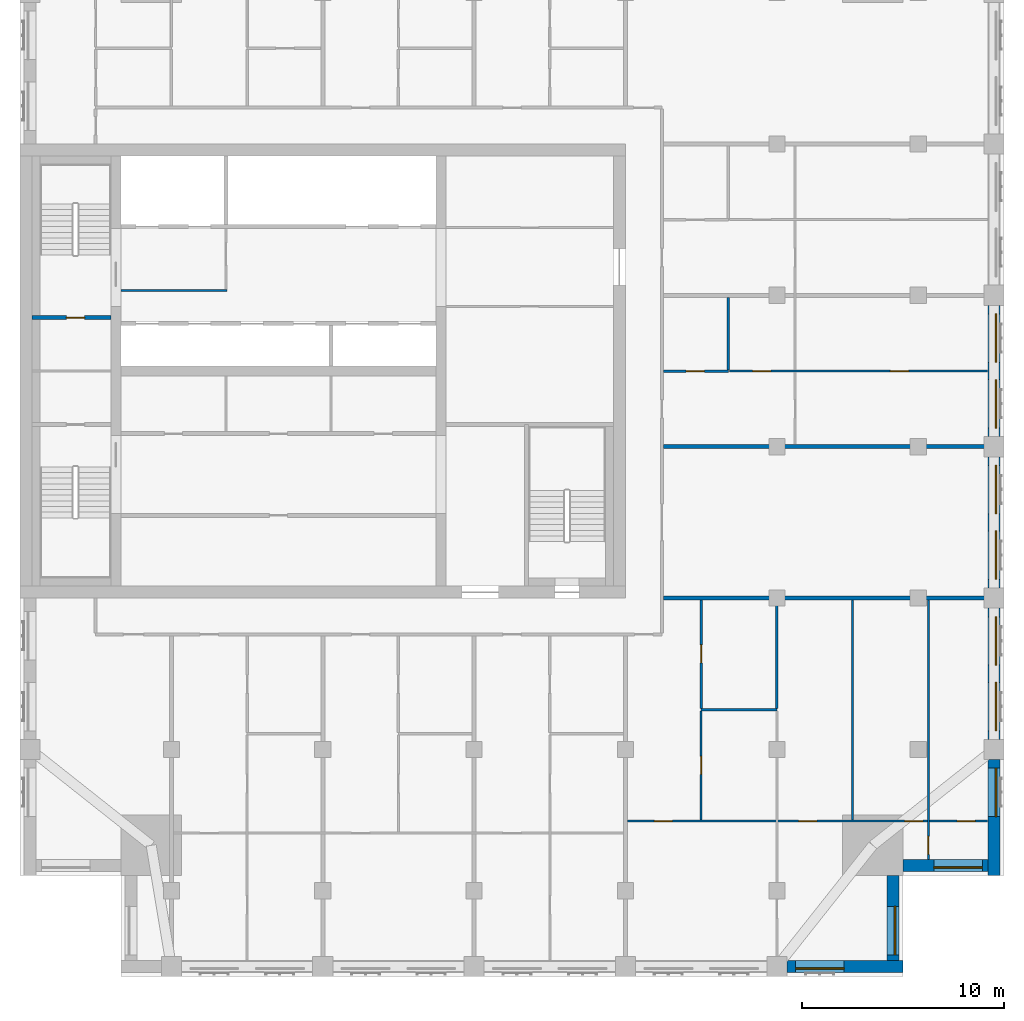
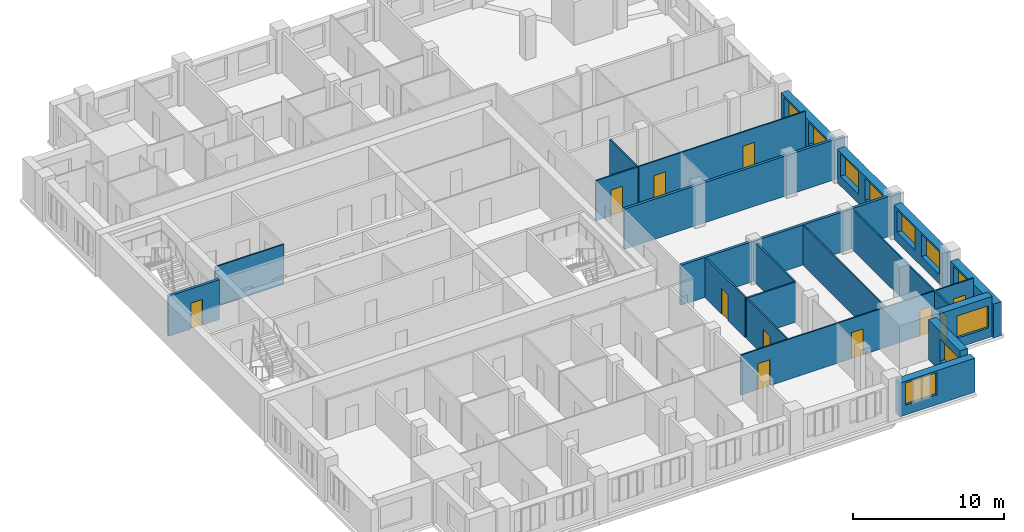
# One storey, part 5 of 11: 21 walls, 11 doors, 10 windows, 21 openings.
"""IFC4 building model written with IfcOpenShell, lengths in metres."""

from ifc_helpers import new_model, si_unit, direction, frame, frame_2d, origin, place, context, subcontext, project, spatial, rectangle, extrude, material, layer, layer_set, type_object, element, fill, save


model = new_model("IFC4")

# Units and contexts
model_context = context("Model", 3, precision=1e-05, world=origin(), true_north=direction((0.0, 1.0)))
body_context = subcontext(model_context, "Body", "Model", "MODEL_VIEW")
ifc_project = project(units=[si_unit("LENGTHUNIT", "METRE"), si_unit("AREAUNIT", "SQUARE_METRE"), si_unit("VOLUMEUNIT", "CUBIC_METRE"), si_unit("PLANEANGLEUNIT", "RADIAN"), si_unit("MASSUNIT", "GRAM", prefix="KILO")], contexts=[model_context])

# Site, building, storey
site_placement = place(None, origin())
site = spatial("IfcSite", under=ifc_project, at=site_placement, CompositionType="ELEMENT")
building_placement = place(site_placement, origin())
building = spatial("IfcBuilding", under=site, at=building_placement, Name="Tamorin Gate", CompositionType="ELEMENT")
storey_placement = place(building_placement, frame((0.0, 0.0, 226.699951171875)))
storey = spatial("IfcBuildingStorey", under=building, at=storey_placement, Name="L56", CompositionType="ELEMENT", Elevation=226.699951171875)

# Wall, opening, window
ifc_material_1 = material(Name="Precast concrete C40/50", Category="concrete")
ifc_layer_1 = layer(ifc_material_1, 0.60009765625)
ifc_layer_set_1 = layer_set([ifc_layer_1], Name="Precast concrete C40/50")
wall_type_1 = type_object("IfcWallType", Name="Board-marked concrete facade panel 600", PredefinedType="SOLIDWALL", material=ifc_layer_set_1)
wall_1_placement = place(storey_placement, frame((68.0, 41.75, 0.0), z_axis=(0.0, 0.0, 1.0), x_axis=(1.0, 0.0, 0.0)))
wall_1 = element("IfcWall", 1, at=wall_1_placement, inside=storey, type_object=wall_type_1, Name="Facade panel", PredefinedType="SOLIDWALL", context=body_context, shape_type="SweptSolid", body=[
    extrude(rectangle(XDim=5.75, YDim=0.60009765625, at=frame_2d((2.875, 0.0))), origin(), (0.0, 0.0, 1.0), 2.75),
])
opening_1_placement = place(wall_1_placement, frame((0.425048828125, 0.0, 0.800048828125)))
opening_1 = element("IfcOpeningElement", 2, at=opening_1_placement, cuts=wall_1, Name="Opening WN1", PredefinedType="OPENING", context=body_context, shape_type="SweptSolid", body=[
    extrude(rectangle(XDim=2.39990234375, YDim=1.800048828125, at=frame_2d((1.199951171875, 0.89990234375))), frame((0.0, 0.31005859375, 0.0), z_axis=(0.0, -1.0, 0.0), x_axis=(1.0, 0.0, 0.0)), (0.0, 0.0, 1.0), 0.6201171875),
])
ifc_material_2 = material(Name="Clear glass in aluminium frame", Category="aluminium")
window_type = type_object("IfcWindowType", Name="Deep-set window 2400x1800", PartitioningType="SINGLE_PANEL", PredefinedType="WINDOW", material=ifc_material_2)
window_1_placement = place(opening_1_placement, origin())
window_1 = element("IfcWindow", 3, at=window_1_placement, inside=storey, type_object=window_type, Name="Deep-set window", OverallHeight=1.800048828125, OverallWidth=2.39990234375, PartitioningType="SINGLE_PANEL", PredefinedType="WINDOW", context=body_context, shape_type="SweptSolid", body=[
    extrude(rectangle(XDim=2.39990234375, YDim=1.800048828125, at=frame_2d((1.199951171875, 0.89990234375))), frame((0.0, -0.070068359375, 0.0), z_axis=(0.0, -1.0, 0.0), x_axis=(1.0, 0.0, 0.0)), (0.0, 0.0, 1.0), 0.06005859375),
])
fill(opening_1, window_1)

wall_2_placement = place(storey_placement, frame((73.25, 42.050048828125, 0.0), z_axis=(0.0, 0.0, 1.0), x_axis=(0.0, 1.0, 0.0)))
wall_2 = element("IfcWall", 4, at=wall_2_placement, inside=storey, type_object=wall_type_1, Name="Facade panel", PredefinedType="SOLIDWALL", context=body_context, shape_type="SweptSolid", body=[
    extrude(rectangle(XDim=4.199951171875, YDim=0.60009765625, at=frame_2d((2.10009765625, 0.0))), origin(), (0.0, 0.0, 1.0), 3.25),
])
opening_2_placement = place(wall_2_placement, frame((0.27490234375, 0.0, 0.800048828125)))
opening_2 = element("IfcOpeningElement", 5, at=opening_2_placement, cuts=wall_2, Name="Opening WN1", PredefinedType="OPENING", context=body_context, shape_type="SweptSolid", body=[
    extrude(rectangle(XDim=2.39990234375, YDim=1.800048828125, at=frame_2d((1.199951171875, 0.89990234375))), frame((0.0, 0.31005859375, 0.0), z_axis=(0.0, -1.0, 0.0), x_axis=(1.0, 0.0, 0.0)), (0.0, 0.0, 1.0), 0.6201171875),
])
window_2_placement = place(opening_2_placement, origin())
window_2 = element("IfcWindow", 6, at=window_2_placement, inside=storey, type_object=window_type, Name="Deep-set window", OverallHeight=1.800048828125, OverallWidth=2.39990234375, PartitioningType="SINGLE_PANEL", PredefinedType="WINDOW", context=body_context, shape_type="SweptSolid", body=[
    extrude(rectangle(XDim=2.39990234375, YDim=1.800048828125, at=frame_2d((1.199951171875, 0.89990234375))), frame((0.0, -0.070068359375, 0.0), z_axis=(0.0, -1.0, 0.0), x_axis=(1.0, 0.0, 0.0)), (0.0, 0.0, 1.0), 0.06005859375),
])
fill(opening_2, window_2)

wall_3_placement = place(storey_placement, frame((73.75, 46.75, 0.0), z_axis=(0.0, 0.0, 1.0), x_axis=(1.0, 0.0, 0.0)))
wall_3 = element("IfcWall", 7, at=wall_3_placement, inside=storey, type_object=wall_type_1, Name="Facade panel", PredefinedType="SOLIDWALL", context=body_context, shape_type="SweptSolid", body=[
    extrude(rectangle(XDim=4.199951171875, YDim=0.60009765625, at=frame_2d((2.10009765625, 0.0))), origin(), (0.0, 0.0, 1.0), 3.25),
])
opening_3_placement = place(wall_3_placement, frame((1.52490234375, 0.0, 0.800048828125)))
opening_3 = element("IfcOpeningElement", 8, at=opening_3_placement, cuts=wall_3, Name="Opening WN1", PredefinedType="OPENING", context=body_context, shape_type="SweptSolid", body=[
    extrude(rectangle(XDim=2.39990234375, YDim=1.800048828125, at=frame_2d((1.199951171875, 0.89990234375))), frame((0.0, 0.31005859375, 0.0), z_axis=(0.0, -1.0, 0.0), x_axis=(1.0, 0.0, 0.0)), (0.0, 0.0, 1.0), 0.6201171875),
])
window_3_placement = place(opening_3_placement, origin())
window_3 = element("IfcWindow", 9, at=window_3_placement, inside=storey, type_object=window_type, Name="Deep-set window", OverallHeight=1.800048828125, OverallWidth=2.39990234375, PartitioningType="SINGLE_PANEL", PredefinedType="WINDOW", context=body_context, shape_type="SweptSolid", body=[
    extrude(rectangle(XDim=2.39990234375, YDim=1.800048828125, at=frame_2d((1.199951171875, 0.89990234375))), frame((0.0, -0.070068359375, 0.0), z_axis=(0.0, -1.0, 0.0), x_axis=(1.0, 0.0, 0.0)), (0.0, 0.0, 1.0), 0.06005859375),
])
fill(opening_3, window_3)

wall_4_placement = place(storey_placement, frame((78.25, 46.25, 0.0), z_axis=(0.0, 0.0, 1.0), x_axis=(0.0, 1.0, 0.0)))
wall_4 = element("IfcWall", 10, at=wall_4_placement, inside=storey, type_object=wall_type_1, Name="Facade panel", PredefinedType="SOLIDWALL", context=body_context, shape_type="SweptSolid", body=[
    extrude(rectangle(XDim=5.75, YDim=0.60009765625, at=frame_2d((2.875, 0.0))), origin(), (0.0, 0.0, 1.0), 2.75),
])
opening_4_placement = place(wall_4_placement, frame((2.925048828125, 0.0, 0.800048828125)))
opening_4 = element("IfcOpeningElement", 11, at=opening_4_placement, cuts=wall_4, Name="Opening WN1", PredefinedType="OPENING", context=body_context, shape_type="SweptSolid", body=[
    extrude(rectangle(XDim=2.39990234375, YDim=1.800048828125, at=frame_2d((1.199951171875, 0.89990234375))), frame((0.0, 0.31005859375, 0.0), z_axis=(0.0, -1.0, 0.0), x_axis=(1.0, 0.0, 0.0)), (0.0, 0.0, 1.0), 0.6201171875),
])
window_4_placement = place(opening_4_placement, origin())
window_4 = element("IfcWindow", 12, at=window_4_placement, inside=storey, type_object=window_type, Name="Deep-set window", OverallHeight=1.800048828125, OverallWidth=2.39990234375, PartitioningType="SINGLE_PANEL", PredefinedType="WINDOW", context=body_context, shape_type="SweptSolid", body=[
    extrude(rectangle(XDim=2.39990234375, YDim=1.800048828125, at=frame_2d((1.199951171875, 0.89990234375))), frame((0.0, -0.070068359375, 0.0), z_axis=(0.0, -1.0, 0.0), x_axis=(1.0, 0.0, 0.0)), (0.0, 0.0, 1.0), 0.06005859375),
])
fill(opening_4, window_4)

# Wall, openings, windows
wall_5_placement = place(storey_placement, frame((78.25, 53.0, 0.0), z_axis=(0.0, 0.0, 1.0), x_axis=(0.0, 1.0, 0.0)))
wall_5 = element("IfcWall", 13, at=wall_5_placement, inside=storey, type_object=wall_type_1, Name="Facade panel", PredefinedType="SOLIDWALL", context=body_context, shape_type="SweptSolid", body=[
    extrude(rectangle(XDim=6.5, YDim=0.60009765625, at=frame_2d((3.25, 0.0))), origin(), (0.0, 0.0, 1.0), 2.75),
])
opening_5_placement = place(wall_5_placement, frame((0.425048828125, 0.0, 0.800048828125)))
opening_5 = element("IfcOpeningElement", 14, at=opening_5_placement, cuts=wall_5, Name="Opening WN1", PredefinedType="OPENING", context=body_context, shape_type="SweptSolid", body=[
    extrude(rectangle(XDim=2.39990234375, YDim=1.800048828125, at=frame_2d((1.199951171875, 0.89990234375))), frame((0.0, 0.31005859375, 0.0), z_axis=(0.0, -1.0, 0.0), x_axis=(1.0, 0.0, 0.0)), (0.0, 0.0, 1.0), 0.6201171875),
])
opening_6_placement = place(wall_5_placement, frame((3.675048828125, 0.0, 0.800048828125)))
opening_6 = element("IfcOpeningElement", 15, at=opening_6_placement, cuts=wall_5, Name="Opening WN1", PredefinedType="OPENING", context=body_context, shape_type="SweptSolid", body=[
    extrude(rectangle(XDim=2.39990234375, YDim=1.800048828125, at=frame_2d((1.199951171875, 0.89990234375))), frame((0.0, 0.31005859375, 0.0), z_axis=(0.0, -1.0, 0.0), x_axis=(1.0, 0.0, 0.0)), (0.0, 0.0, 1.0), 0.6201171875),
])
window_5_placement = place(opening_5_placement, origin())
window_5 = element("IfcWindow", 16, at=window_5_placement, inside=storey, type_object=window_type, Name="Deep-set window", OverallHeight=1.800048828125, OverallWidth=2.39990234375, PartitioningType="SINGLE_PANEL", PredefinedType="WINDOW", context=body_context, shape_type="SweptSolid", body=[
    extrude(rectangle(XDim=2.39990234375, YDim=1.800048828125, at=frame_2d((1.199951171875, 0.89990234375))), frame((0.0, -0.070068359375, 0.0), z_axis=(0.0, -1.0, 0.0), x_axis=(1.0, 0.0, 0.0)), (0.0, 0.0, 1.0), 0.06005859375),
])
fill(opening_5, window_5)
window_6_placement = place(opening_6_placement, origin())
window_6 = element("IfcWindow", 17, at=window_6_placement, inside=storey, type_object=window_type, Name="Deep-set window", OverallHeight=1.800048828125, OverallWidth=2.39990234375, PartitioningType="SINGLE_PANEL", PredefinedType="WINDOW", context=body_context, shape_type="SweptSolid", body=[
    extrude(rectangle(XDim=2.39990234375, YDim=1.800048828125, at=frame_2d((1.199951171875, 0.89990234375))), frame((0.0, -0.070068359375, 0.0), z_axis=(0.0, -1.0, 0.0), x_axis=(1.0, 0.0, 0.0)), (0.0, 0.0, 1.0), 0.06005859375),
])
fill(opening_6, window_6)

wall_6_placement = place(storey_placement, frame((78.25, 60.5, 0.0), z_axis=(0.0, 0.0, 1.0), x_axis=(0.0, 1.0, 0.0)))
wall_6 = element("IfcWall", 18, at=wall_6_placement, inside=storey, type_object=wall_type_1, Name="Facade panel", PredefinedType="SOLIDWALL", context=body_context, shape_type="SweptSolid", body=[
    extrude(rectangle(XDim=6.5, YDim=0.60009765625, at=frame_2d((3.25, 0.0))), origin(), (0.0, 0.0, 1.0), 2.75),
])
opening_7_placement = place(wall_6_placement, frame((0.425048828125, 0.0, 0.800048828125)))
opening_7 = element("IfcOpeningElement", 19, at=opening_7_placement, cuts=wall_6, Name="Opening WN1", PredefinedType="OPENING", context=body_context, shape_type="SweptSolid", body=[
    extrude(rectangle(XDim=2.39990234375, YDim=1.800048828125, at=frame_2d((1.199951171875, 0.89990234375))), frame((0.0, 0.31005859375, 0.0), z_axis=(0.0, -1.0, 0.0), x_axis=(1.0, 0.0, 0.0)), (0.0, 0.0, 1.0), 0.6201171875),
])
opening_8_placement = place(wall_6_placement, frame((3.675048828125, 0.0, 0.800048828125)))
opening_8 = element("IfcOpeningElement", 20, at=opening_8_placement, cuts=wall_6, Name="Opening WN1", PredefinedType="OPENING", context=body_context, shape_type="SweptSolid", body=[
    extrude(rectangle(XDim=2.39990234375, YDim=1.800048828125, at=frame_2d((1.199951171875, 0.89990234375))), frame((0.0, 0.31005859375, 0.0), z_axis=(0.0, -1.0, 0.0), x_axis=(1.0, 0.0, 0.0)), (0.0, 0.0, 1.0), 0.6201171875),
])
window_7_placement = place(opening_7_placement, origin())
window_7 = element("IfcWindow", 21, at=window_7_placement, inside=storey, type_object=window_type, Name="Deep-set window", OverallHeight=1.800048828125, OverallWidth=2.39990234375, PartitioningType="SINGLE_PANEL", PredefinedType="WINDOW", context=body_context, shape_type="SweptSolid", body=[
    extrude(rectangle(XDim=2.39990234375, YDim=1.800048828125, at=frame_2d((1.199951171875, 0.89990234375))), frame((0.0, -0.070068359375, 0.0), z_axis=(0.0, -1.0, 0.0), x_axis=(1.0, 0.0, 0.0)), (0.0, 0.0, 1.0), 0.06005859375),
])
fill(opening_7, window_7)
window_8_placement = place(opening_8_placement, origin())
window_8 = element("IfcWindow", 22, at=window_8_placement, inside=storey, type_object=window_type, Name="Deep-set window", OverallHeight=1.800048828125, OverallWidth=2.39990234375, PartitioningType="SINGLE_PANEL", PredefinedType="WINDOW", context=body_context, shape_type="SweptSolid", body=[
    extrude(rectangle(XDim=2.39990234375, YDim=1.800048828125, at=frame_2d((1.199951171875, 0.89990234375))), frame((0.0, -0.070068359375, 0.0), z_axis=(0.0, -1.0, 0.0), x_axis=(1.0, 0.0, 0.0)), (0.0, 0.0, 1.0), 0.06005859375),
])
fill(opening_8, window_8)

wall_7_placement = place(storey_placement, frame((78.25, 68.0, 0.0), z_axis=(0.0, 0.0, 1.0), x_axis=(0.0, 1.0, 0.0)))
wall_7 = element("IfcWall", 23, at=wall_7_placement, inside=storey, type_object=wall_type_1, Name="Facade panel", PredefinedType="SOLIDWALL", context=body_context, shape_type="SweptSolid", body=[
    extrude(rectangle(XDim=6.5, YDim=0.60009765625, at=frame_2d((3.25, 0.0))), origin(), (0.0, 0.0, 1.0), 2.75),
])
opening_9_placement = place(wall_7_placement, frame((0.425048828125, 0.0, 0.800048828125)))
opening_9 = element("IfcOpeningElement", 24, at=opening_9_placement, cuts=wall_7, Name="Opening WN1", PredefinedType="OPENING", context=body_context, shape_type="SweptSolid", body=[
    extrude(rectangle(XDim=2.39990234375, YDim=1.800048828125, at=frame_2d((1.199951171875, 0.89990234375))), frame((0.0, 0.31005859375, 0.0), z_axis=(0.0, -1.0, 0.0), x_axis=(1.0, 0.0, 0.0)), (0.0, 0.0, 1.0), 0.6201171875),
])
opening_10_placement = place(wall_7_placement, frame((3.675048828125, 0.0, 0.800048828125)))
opening_10 = element("IfcOpeningElement", 25, at=opening_10_placement, cuts=wall_7, Name="Opening WN1", PredefinedType="OPENING", context=body_context, shape_type="SweptSolid", body=[
    extrude(rectangle(XDim=2.39990234375, YDim=1.800048828125, at=frame_2d((1.199951171875, 0.89990234375))), frame((0.0, 0.31005859375, 0.0), z_axis=(0.0, -1.0, 0.0), x_axis=(1.0, 0.0, 0.0)), (0.0, 0.0, 1.0), 0.6201171875),
])
window_9_placement = place(opening_9_placement, origin())
window_9 = element("IfcWindow", 26, at=window_9_placement, inside=storey, type_object=window_type, Name="Deep-set window", OverallHeight=1.800048828125, OverallWidth=2.39990234375, PartitioningType="SINGLE_PANEL", PredefinedType="WINDOW", context=body_context, shape_type="SweptSolid", body=[
    extrude(rectangle(XDim=2.39990234375, YDim=1.800048828125, at=frame_2d((1.199951171875, 0.89990234375))), frame((0.0, -0.070068359375, 0.0), z_axis=(0.0, -1.0, 0.0), x_axis=(1.0, 0.0, 0.0)), (0.0, 0.0, 1.0), 0.06005859375),
])
fill(opening_9, window_9)
window_10_placement = place(opening_10_placement, origin())
window_10 = element("IfcWindow", 27, at=window_10_placement, inside=storey, type_object=window_type, Name="Deep-set window", OverallHeight=1.800048828125, OverallWidth=2.39990234375, PartitioningType="SINGLE_PANEL", PredefinedType="WINDOW", context=body_context, shape_type="SweptSolid", body=[
    extrude(rectangle(XDim=2.39990234375, YDim=1.800048828125, at=frame_2d((1.199951171875, 0.89990234375))), frame((0.0, -0.070068359375, 0.0), z_axis=(0.0, -1.0, 0.0), x_axis=(1.0, 0.0, 0.0)), (0.0, 0.0, 1.0), 0.06005859375),
])
fill(opening_10, window_10)

# Walls
ifc_material_3 = material(Name="Gypsum board partition")
ifc_layer_2 = layer(ifc_material_3, 0.199951171875)
ifc_layer_set_2 = layer_set([ifc_layer_2], Name="Demising wall 200")
wall_type_2 = type_object("IfcWallType", Name="Demising wall 200", PredefinedType="PARTITIONING", material=ifc_layer_set_2)
for number, where, z_axis, x_axis, name in (
    (28, (61.875, 60.0, 0.0), (0.0, 0.0, 1.0), (1.0, 0.0, 0.0), "Demising wall 200"),
    (29, (61.875, 67.5, 0.0), (0.0, 0.0, 1.0), (1.0, 0.0, 0.0), "Demising wall 200"),
):
    element("IfcWall", number, at=place(storey_placement, frame(where, z_axis=z_axis, x_axis=x_axis)), inside=storey, type_object=wall_type_2, Name=name, PredefinedType="PARTITIONING", context=body_context, shape_type="SweptSolid", body=[
        extrude(rectangle(XDim=16.875, YDim=0.199951171875, at=frame_2d((8.4375, 0.0))), origin(), (0.0, 0.0, 1.0), 3.25),
    ])
ifc_material_4 = material(Name="Fire-rated gypsum board partition")
ifc_layer_3 = layer(ifc_material_4, 0.10009765625)
ifc_layer_set_3 = layer_set([ifc_layer_3], Name="Lobby wall 100 EI 60")
wall_type_3 = type_object("IfcWallType", Name="Lobby wall 100 EI 60", PredefinedType="PARTITIONING", material=ifc_layer_set_3)
wall_8_placement = place(storey_placement, frame((35.0, 75.25, 0.0), z_axis=(0.0, 0.0, 1.0), x_axis=(1.0, 0.0, 0.0)))
element("IfcWall", 30, at=wall_8_placement, inside=storey, type_object=wall_type_3, Name="Firefighting lobby wall", PredefinedType="PARTITIONING", context=body_context, shape_type="SweptSolid", body=[
    extrude(rectangle(XDim=5.25, YDim=0.10009765625, at=frame_2d((2.625, 0.0))), origin(), (0.0, 0.0, 1.0), 3.25),
])

# Wall, openings, doors
ifc_layer_4 = layer(ifc_material_3, 0.10009765625)
ifc_layer_set_4 = layer_set([ifc_layer_4], Name="Room partition 100")
wall_type_4 = type_object("IfcWallType", Name="Room partition 100", PredefinedType="PARTITIONING", material=ifc_layer_set_4)
wall_9_placement = place(storey_placement, frame((60.10009765625, 48.949951171875, 0.0), z_axis=(0.0, 0.0, 1.0), x_axis=(1.0, 0.0, 0.0)))
wall_9 = element("IfcWall", 31, at=wall_9_placement, inside=storey, type_object=wall_type_4, Name="Room partition 100", PredefinedType="PARTITIONING", context=body_context, shape_type="SweptSolid", body=[
    extrude(rectangle(XDim=17.83984375, YDim=0.10009765625, at=frame_2d((8.919921875, 0.0))), origin(), (0.0, 0.0, 1.0), 3.25),
])
opening_11_placement = place(wall_9_placement, frame((1.324951171875, 0.0, 0.0)))
opening_11 = element("IfcOpeningElement", 32, at=opening_11_placement, cuts=wall_9, Name="Opening DR6017", PredefinedType="OPENING", context=body_context, shape_type="SweptSolid", body=[
    extrude(rectangle(XDim=0.89990234375, YDim=2.10009765625, at=frame_2d((0.449951171875, 1.050048828125))), frame((0.0, 0.06005859375, 0.0), z_axis=(0.0, -1.0, 0.0), x_axis=(1.0, 0.0, 0.0)), (0.0, 0.0, 1.0), 0.1201171875),
])
opening_12_placement = place(wall_9_placement, frame((8.47509765625, 0.0, 0.0)))
opening_12 = element("IfcOpeningElement", 33, at=opening_12_placement, cuts=wall_9, Name="Opening DR6020", PredefinedType="OPENING", context=body_context, shape_type="SweptSolid", body=[
    extrude(rectangle(XDim=0.89990234375, YDim=2.10009765625, at=frame_2d((0.449951171875, 1.050048828125))), frame((0.0, 0.06005859375, 0.0), z_axis=(0.0, -1.0, 0.0), x_axis=(1.0, 0.0, 0.0)), (0.0, 0.0, 1.0), 0.1201171875),
])
opening_13_placement = place(wall_9_placement, frame((13.72509765625, 0.0, 0.0)))
opening_13 = element("IfcOpeningElement", 34, at=opening_13_placement, cuts=wall_9, Name="Opening DR6021", PredefinedType="OPENING", context=body_context, shape_type="SweptSolid", body=[
    extrude(rectangle(XDim=0.89990234375, YDim=2.10009765625, at=frame_2d((0.449951171875, 1.050048828125))), frame((0.0, 0.06005859375, 0.0), z_axis=(0.0, -1.0, 0.0), x_axis=(1.0, 0.0, 0.0)), (0.0, 0.0, 1.0), 0.1201171875),
])
opening_14_placement = place(wall_9_placement, frame((16.324951171875, 0.0, 0.0)))
opening_14 = element("IfcOpeningElement", 35, at=opening_14_placement, cuts=wall_9, Name="Opening DR6022", PredefinedType="OPENING", context=body_context, shape_type="SweptSolid", body=[
    extrude(rectangle(XDim=0.89990234375, YDim=2.10009765625, at=frame_2d((0.449951171875, 1.050048828125))), frame((0.0, 0.06005859375, 0.0), z_axis=(0.0, -1.0, 0.0), x_axis=(1.0, 0.0, 0.0)), (0.0, 0.0, 1.0), 0.1201171875),
])
ifc_material_5 = material(Name="Timber door leaf", Category="wood")
door_type_1 = type_object("IfcDoorType", Name="Door 900 x 2100", OperationType="NOTDEFINED", PredefinedType="DOOR", material=ifc_material_5)
door_1_placement = place(opening_11_placement, origin())
door_1 = element("IfcDoor", 36, at=door_1_placement, inside=storey, type_object=door_type_1, Name="Door DR6017", OperationType="SINGLE_SWING_LEFT", OverallHeight=2.10009765625, OverallWidth=0.89990234375, PredefinedType="DOOR", context=body_context, shape_type="SweptSolid", body=[
    extrude(rectangle(XDim=0.89990234375, YDim=2.10009765625, at=frame_2d((0.449951171875, 1.050048828125))), frame((0.0, 0.02490234375, 0.0), z_axis=(0.0, -1.0, 0.0), x_axis=(1.0, 0.0, 0.0)), (0.0, 0.0, 1.0), 0.050048828125),
])
fill(opening_11, door_1)
door_2_placement = place(opening_12_placement, origin())
door_2 = element("IfcDoor", 37, at=door_2_placement, inside=storey, type_object=door_type_1, Name="Door DR6020", OperationType="SINGLE_SWING_LEFT", OverallHeight=2.10009765625, OverallWidth=0.89990234375, PredefinedType="DOOR", context=body_context, shape_type="SweptSolid", body=[
    extrude(rectangle(XDim=0.89990234375, YDim=2.10009765625, at=frame_2d((0.449951171875, 1.050048828125))), frame((0.0, 0.02490234375, 0.0), z_axis=(0.0, -1.0, 0.0), x_axis=(1.0, 0.0, 0.0)), (0.0, 0.0, 1.0), 0.050048828125),
])
fill(opening_12, door_2)
door_3_placement = place(opening_13_placement, origin())
door_3 = element("IfcDoor", 38, at=door_3_placement, inside=storey, type_object=door_type_1, Name="Door DR6021", OperationType="SINGLE_SWING_RIGHT", OverallHeight=2.10009765625, OverallWidth=0.89990234375, PredefinedType="DOOR", context=body_context, shape_type="SweptSolid", body=[
    extrude(rectangle(XDim=0.89990234375, YDim=2.10009765625, at=frame_2d((0.449951171875, 1.050048828125))), frame((0.0, 0.02490234375, 0.0), z_axis=(0.0, -1.0, 0.0), x_axis=(1.0, 0.0, 0.0)), (0.0, 0.0, 1.0), 0.050048828125),
])
fill(opening_13, door_3)
door_4_placement = place(opening_14_placement, origin())
door_4 = element("IfcDoor", 39, at=door_4_placement, inside=storey, type_object=door_type_1, Name="Door DR6022", OperationType="SINGLE_SWING_LEFT", OverallHeight=2.10009765625, OverallWidth=0.89990234375, PredefinedType="DOOR", context=body_context, shape_type="SweptSolid", body=[
    extrude(rectangle(XDim=0.89990234375, YDim=2.10009765625, at=frame_2d((0.449951171875, 1.050048828125))), frame((0.0, 0.02490234375, 0.0), z_axis=(0.0, -1.0, 0.0), x_axis=(1.0, 0.0, 0.0)), (0.0, 0.0, 1.0), 0.050048828125),
])
fill(opening_14, door_4)

wall_10_placement = place(storey_placement, frame((65.16259765625, 71.25, 0.0), z_axis=(0.0, 0.0, 1.0), x_axis=(1.0, 0.0, 0.0)))
wall_10 = element("IfcWall", 40, at=wall_10_placement, inside=storey, type_object=wall_type_4, Name="Room partition 100", PredefinedType="PARTITIONING", context=body_context, shape_type="SweptSolid", body=[
    extrude(rectangle(XDim=12.77734375, YDim=0.10009765625, at=frame_2d((6.388671875, 0.0))), origin(), (0.0, 0.0, 1.0), 3.25),
])
opening_15_placement = place(wall_10_placement, frame((1.137451171875, 0.0, 0.0)))
opening_15 = element("IfcOpeningElement", 41, at=opening_15_placement, cuts=wall_10, Name="Opening DR6047", PredefinedType="OPENING", context=body_context, shape_type="SweptSolid", body=[
    extrude(rectangle(XDim=0.89990234375, YDim=2.10009765625, at=frame_2d((0.449951171875, 1.050048828125))), frame((0.0, 0.06005859375, 0.0), z_axis=(0.0, -1.0, 0.0), x_axis=(1.0, 0.0, 0.0)), (0.0, 0.0, 1.0), 0.1201171875),
])
opening_16_placement = place(wall_10_placement, frame((7.96240234375, 0.0, 0.0)))
opening_16 = element("IfcOpeningElement", 42, at=opening_16_placement, cuts=wall_10, Name="Opening DR6049", PredefinedType="OPENING", context=body_context, shape_type="SweptSolid", body=[
    extrude(rectangle(XDim=0.89990234375, YDim=2.10009765625, at=frame_2d((0.449951171875, 1.050048828125))), frame((0.0, 0.06005859375, 0.0), z_axis=(0.0, -1.0, 0.0), x_axis=(1.0, 0.0, 0.0)), (0.0, 0.0, 1.0), 0.1201171875),
])
door_5_placement = place(opening_15_placement, origin())
door_5 = element("IfcDoor", 43, at=door_5_placement, inside=storey, type_object=door_type_1, Name="Door DR6047", OperationType="SINGLE_SWING_LEFT", OverallHeight=2.10009765625, OverallWidth=0.89990234375, PredefinedType="DOOR", context=body_context, shape_type="SweptSolid", body=[
    extrude(rectangle(XDim=0.89990234375, YDim=2.10009765625, at=frame_2d((0.449951171875, 1.050048828125))), frame((0.0, 0.02490234375, 0.0), z_axis=(0.0, -1.0, 0.0), x_axis=(1.0, 0.0, 0.0)), (0.0, 0.0, 1.0), 0.050048828125),
])
fill(opening_15, door_5)
door_6_placement = place(opening_16_placement, origin())
door_6 = element("IfcDoor", 44, at=door_6_placement, inside=storey, type_object=door_type_1, Name="Door DR6049", OperationType="SINGLE_SWING_LEFT", OverallHeight=2.10009765625, OverallWidth=0.89990234375, PredefinedType="DOOR", context=body_context, shape_type="SweptSolid", body=[
    extrude(rectangle(XDim=0.89990234375, YDim=2.10009765625, at=frame_2d((0.449951171875, 1.050048828125))), frame((0.0, 0.02490234375, 0.0), z_axis=(0.0, -1.0, 0.0), x_axis=(1.0, 0.0, 0.0)), (0.0, 0.0, 1.0), 0.050048828125),
])
fill(opening_16, door_6)

# Wall, opening, door
wall_11_placement = place(storey_placement, frame((63.75, 49.0, 0.0), z_axis=(0.0, 0.0, 1.0), x_axis=(0.0, 1.0, 0.0)))
wall_11 = element("IfcWall", 45, at=wall_11_placement, inside=storey, type_object=wall_type_4, Name="Room partition 100", PredefinedType="PARTITIONING", context=body_context, shape_type="SweptSolid", body=[
    extrude(rectangle(XDim=5.41259765625, YDim=0.10009765625, at=frame_2d((2.706298828125, 0.0))), origin(), (0.0, 0.0, 1.0), 3.25),
])
opening_17_placement = place(wall_11_placement, frame((2.262451171875, 0.0, 0.0)))
opening_17 = element("IfcOpeningElement", 46, at=opening_17_placement, cuts=wall_11, Name="Opening DR6018", PredefinedType="OPENING", context=body_context, shape_type="SweptSolid", body=[
    extrude(rectangle(XDim=0.89990234375, YDim=2.10009765625, at=frame_2d((0.449951171875, 1.050048828125))), frame((0.0, 0.06005859375, 0.0), z_axis=(0.0, -1.0, 0.0), x_axis=(1.0, 0.0, 0.0)), (0.0, 0.0, 1.0), 0.1201171875),
])
door_7_placement = place(opening_17_placement, origin())
door_7 = element("IfcDoor", 47, at=door_7_placement, inside=storey, type_object=door_type_1, Name="Door DR6018", OperationType="SINGLE_SWING_RIGHT", OverallHeight=2.10009765625, OverallWidth=0.89990234375, PredefinedType="DOOR", context=body_context, shape_type="SweptSolid", body=[
    extrude(rectangle(XDim=0.89990234375, YDim=2.10009765625, at=frame_2d((0.449951171875, 1.050048828125))), frame((0.0, 0.02490234375, 0.0), z_axis=(0.0, -1.0, 0.0), x_axis=(1.0, 0.0, 0.0)), (0.0, 0.0, 1.0), 0.050048828125),
])
fill(opening_17, door_7)

# Wall
wall_12_placement = place(storey_placement, frame((71.25, 49.0, 0.0), z_axis=(0.0, 0.0, 1.0), x_axis=(0.0, 1.0, 0.0)))
element("IfcWall", 48, at=wall_12_placement, inside=storey, type_object=wall_type_4, Name="Room partition 100", PredefinedType="PARTITIONING", context=body_context, shape_type="SweptSolid", body=[
    extrude(rectangle(XDim=10.89990234375, YDim=0.10009765625, at=frame_2d((5.449951171875, 0.0))), origin(), (0.0, 0.0, 1.0), 3.25),
])

# Wall, opening, door
wall_13_placement = place(storey_placement, frame((75.0, 47.06005859375, 0.0), z_axis=(0.0, 0.0, 1.0), x_axis=(0.0, 1.0, 0.0)))
wall_13 = element("IfcWall", 49, at=wall_13_placement, inside=storey, type_object=wall_type_4, Name="Room partition 100", PredefinedType="PARTITIONING", context=body_context, shape_type="SweptSolid", body=[
    extrude(rectangle(XDim=12.83984375, YDim=0.10009765625, at=frame_2d((6.419921875, 0.0))), origin(), (0.0, 0.0, 1.0), 3.25),
])
opening_18_placement = place(wall_13_placement, frame((0.239990234375, 0.0, 0.0)))
opening_18 = element("IfcOpeningElement", 50, at=opening_18_placement, cuts=wall_13, Name="Opening DR6024", PredefinedType="OPENING", context=body_context, shape_type="SweptSolid", body=[
    extrude(rectangle(XDim=0.89990234375, YDim=2.10009765625, at=frame_2d((0.449951171875, 1.050048828125))), frame((0.0, 0.06005859375, 0.0), z_axis=(0.0, -1.0, 0.0), x_axis=(1.0, 0.0, 0.0)), (0.0, 0.0, 1.0), 0.1201171875),
])
door_8_placement = place(opening_18_placement, origin())
door_8 = element("IfcDoor", 51, at=door_8_placement, inside=storey, type_object=door_type_1, Name="Door DR6024", OperationType="SINGLE_SWING_RIGHT", OverallHeight=2.10009765625, OverallWidth=0.89990234375, PredefinedType="DOOR", context=body_context, shape_type="SweptSolid", body=[
    extrude(rectangle(XDim=0.89990234375, YDim=2.10009765625, at=frame_2d((0.449951171875, 1.050048828125))), frame((0.0, 0.02490234375, 0.0), z_axis=(0.0, -1.0, 0.0), x_axis=(1.0, 0.0, 0.0)), (0.0, 0.0, 1.0), 0.050048828125),
])
fill(opening_18, door_8)

ifc_material_6 = material(Name="Concrete C40/50", Category="concrete")
ifc_layer_5 = layer(ifc_material_6, 0.199951171875)
ifc_layer_set_5 = layer_set([ifc_layer_5], Name="Stair enclosure wall 200 EI 120 C40/50")
wall_type_5 = type_object("IfcWallType", Name="Stair enclosure wall 200 EI 120 C40/50", PredefinedType="SOLIDWALL", material=ifc_layer_set_5)
wall_14_placement = place(storey_placement, frame((30.60009765625, 73.89990234375, 0.0), z_axis=(0.0, 0.0, 1.0), x_axis=(1.0, 0.0, 0.0)))
wall_14 = element("IfcWall", 52, at=wall_14_placement, inside=storey, type_object=wall_type_5, Name="Stair enclosure wall", PredefinedType="SOLIDWALL", context=body_context, shape_type="SweptSolid", body=[
    extrude(rectangle(XDim=3.89990234375, YDim=0.199951171875, at=frame_2d((1.949951171875, 0.0))), origin(), (0.0, 0.0, 1.0), 3.25),
])
opening_19_placement = place(wall_14_placement, frame((1.699951171875, 0.0, 0.0)))
opening_19 = element("IfcOpeningElement", 53, at=opening_19_placement, cuts=wall_14, Name="Opening DR1", PredefinedType="OPENING", context=body_context, shape_type="SweptSolid", body=[
    extrude(rectangle(XDim=0.89990234375, YDim=2.10009765625, at=frame_2d((0.449951171875, 1.050048828125))), frame((0.0, 0.10986328125, 0.0), z_axis=(0.0, -1.0, 0.0), x_axis=(1.0, 0.0, 0.0)), (0.0, 0.0, 1.0), 0.219970703125),
])
ifc_material_7 = material(Name="Steel fire door", Category="steel")
door_type_2 = type_object("IfcDoorType", Name="Riser access door 900 x 2100 EI 120", OperationType="SINGLE_SWING_LEFT", PredefinedType="DOOR", material=ifc_material_7)
door_9_placement = place(opening_19_placement, origin())
door_9 = element("IfcDoor", 54, at=door_9_placement, inside=storey, type_object=door_type_2, Name="Communications riser door", OperationType="SINGLE_SWING_RIGHT", OverallHeight=2.10009765625, OverallWidth=0.89990234375, PredefinedType="DOOR", context=body_context, shape_type="SweptSolid", body=[
    extrude(rectangle(XDim=0.89990234375, YDim=2.10009765625, at=frame_2d((0.449951171875, 1.050048828125))), frame((0.0, 0.02490234375, 0.0), z_axis=(0.0, -1.0, 0.0), x_axis=(1.0, 0.0, 0.0)), (0.0, 0.0, 1.0), 0.050048828125),
])
fill(opening_19, door_9)

# Wall
ifc_layer_6 = layer(ifc_material_3, 0.125)
ifc_layer_set_6 = layer_set([ifc_layer_6], Name="Wet wall 125")
wall_type_6 = type_object("IfcWallType", Name="Wet wall 125", PredefinedType="PARTITIONING", material=ifc_layer_set_6)
wall_15_placement = place(storey_placement, frame((63.75, 54.47509765625, 0.0), z_axis=(0.0, 0.0, 1.0), x_axis=(1.0, 0.0, 0.0)))
element("IfcWall", 55, at=wall_15_placement, inside=storey, type_object=wall_type_6, Name="Wet wall 125", PredefinedType="PARTITIONING", context=body_context, shape_type="SweptSolid", body=[
    extrude(rectangle(XDim=3.75, YDim=0.125, at=frame_2d((1.875, 0.0))), origin(), (0.0, 0.0, 1.0), 3.25),
])

# Wall, opening, door
wall_16_placement = place(storey_placement, frame((61.875, 71.25, 0.0), z_axis=(0.0, 0.0, 1.0), x_axis=(1.0, 0.0, 0.0)))
wall_16 = element("IfcWall", 56, at=wall_16_placement, inside=storey, type_object=wall_type_6, Name="Wet wall 125", PredefinedType="PARTITIONING", context=body_context, shape_type="SweptSolid", body=[
    extrude(rectangle(XDim=3.22509765625, YDim=0.125, at=frame_2d((1.612548828125, 0.0))), origin(), (0.0, 0.0, 1.0), 3.25),
])
opening_20_placement = place(wall_16_placement, frame((1.125, 0.0, 0.0)))
opening_20 = element("IfcOpeningElement", 57, at=opening_20_placement, cuts=wall_16, Name="Opening DR6048", PredefinedType="OPENING", context=body_context, shape_type="SweptSolid", body=[
    extrude(rectangle(XDim=0.89990234375, YDim=2.10009765625, at=frame_2d((0.449951171875, 1.050048828125))), frame((0.0, 0.072509765625, 0.0), z_axis=(0.0, -1.0, 0.0), x_axis=(1.0, 0.0, 0.0)), (0.0, 0.0, 1.0), 0.14501953125),
])
door_10_placement = place(opening_20_placement, origin())
door_10 = element("IfcDoor", 58, at=door_10_placement, inside=storey, type_object=door_type_1, Name="Door DR6048", OperationType="SINGLE_SWING_RIGHT", OverallHeight=2.10009765625, OverallWidth=0.89990234375, PredefinedType="DOOR", context=body_context, shape_type="SweptSolid", body=[
    extrude(rectangle(XDim=0.89990234375, YDim=2.10009765625, at=frame_2d((0.449951171875, 1.050048828125))), frame((0.0, 0.02490234375, 0.0), z_axis=(0.0, -1.0, 0.0), x_axis=(1.0, 0.0, 0.0)), (0.0, 0.0, 1.0), 0.050048828125),
])
fill(opening_20, door_10)

wall_17_placement = place(storey_placement, frame((63.75, 54.53759765625, 0.0), z_axis=(0.0, 0.0, 1.0), x_axis=(0.0, 1.0, 0.0)))
wall_17 = element("IfcWall", 59, at=wall_17_placement, inside=storey, type_object=wall_type_6, Name="Wet wall 125", PredefinedType="PARTITIONING", context=body_context, shape_type="SweptSolid", body=[
    extrude(rectangle(XDim=5.3623046875, YDim=0.125, at=frame_2d((2.68115234375, 0.0))), origin(), (0.0, 0.0, 1.0), 3.25),
])
opening_21_placement = place(wall_17_placement, frame((2.25, 0.0, 0.0)))
opening_21 = element("IfcOpeningElement", 60, at=opening_21_placement, cuts=wall_17, Name="Opening DR6019", PredefinedType="OPENING", context=body_context, shape_type="SweptSolid", body=[
    extrude(rectangle(XDim=0.89990234375, YDim=2.10009765625, at=frame_2d((0.449951171875, 1.050048828125))), frame((0.0, 0.072509765625, 0.0), z_axis=(0.0, -1.0, 0.0), x_axis=(1.0, 0.0, 0.0)), (0.0, 0.0, 1.0), 0.14501953125),
])
door_11_placement = place(opening_21_placement, origin())
door_11 = element("IfcDoor", 61, at=door_11_placement, inside=storey, type_object=door_type_1, Name="Door DR6019", OperationType="SINGLE_SWING_RIGHT", OverallHeight=2.10009765625, OverallWidth=0.89990234375, PredefinedType="DOOR", context=body_context, shape_type="SweptSolid", body=[
    extrude(rectangle(XDim=0.89990234375, YDim=2.10009765625, at=frame_2d((0.449951171875, 1.050048828125))), frame((0.0, 0.02490234375, 0.0), z_axis=(0.0, -1.0, 0.0), x_axis=(1.0, 0.0, 0.0)), (0.0, 0.0, 1.0), 0.050048828125),
])
fill(opening_21, door_11)

# Walls
wall_18_placement = place(storey_placement, frame((65.10009765625, 71.3125, 0.0), z_axis=(0.0, 0.0, 1.0), x_axis=(0.0, 1.0, 0.0)))
element("IfcWall", 62, at=wall_18_placement, inside=storey, type_object=wall_type_6, Name="Wet wall 125", PredefinedType="PARTITIONING", context=body_context, shape_type="SweptSolid", body=[
    extrude(rectangle(XDim=3.58740234375, YDim=0.125, at=frame_2d((1.793701171875, 0.0))), origin(), (0.0, 0.0, 1.0), 3.25),
])
wall_19_placement = place(storey_placement, frame((67.5, 54.53759765625, 0.0), z_axis=(0.0, 0.0, 1.0), x_axis=(0.0, 1.0, 0.0)))
element("IfcWall", 63, at=wall_19_placement, inside=storey, type_object=wall_type_6, Name="Wet wall 125", PredefinedType="PARTITIONING", context=body_context, shape_type="SweptSolid", body=[
    extrude(rectangle(XDim=5.3623046875, YDim=0.125, at=frame_2d((2.68115234375, 0.0))), origin(), (0.0, 0.0, 1.0), 3.25),
])

save(model, "model.ifc")
